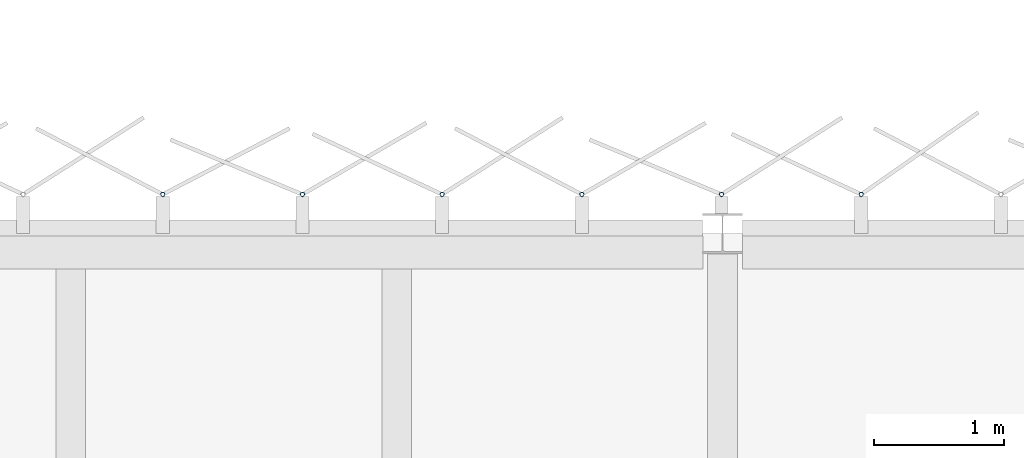
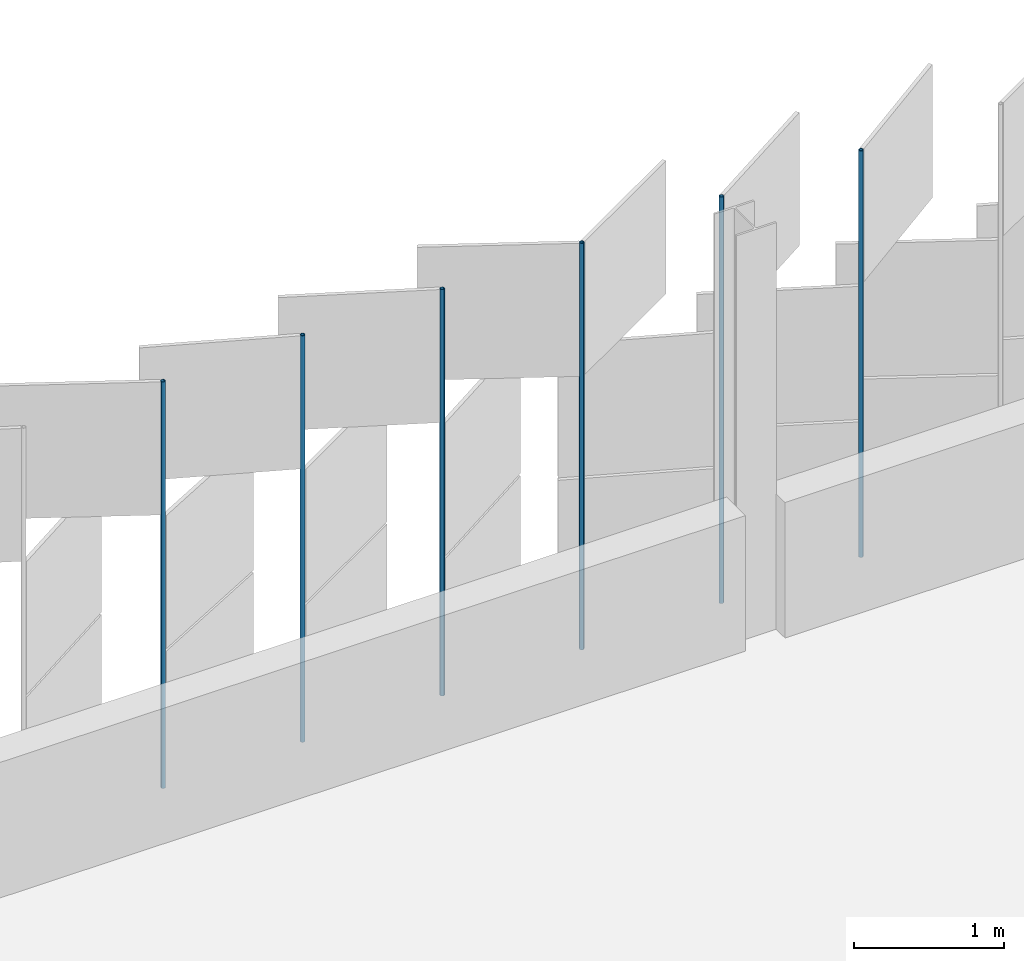
# One storey, part 143 of 198: 6 discrete accessories.
"""IFC4 building model written with IfcOpenShell, lengths in metres."""

from ifc_helpers import new_model, si_unit, direction, frame, origin, origin_2d, place, context, subcontext, project, spatial, hollow_circle, extrude, material, material_profile, profile_set, type_object, element, save


model = new_model("IFC4")

# Units and contexts
model_context = context("Model", 3, precision=1e-05, world=origin(), true_north=direction((0.0, 1.0)))
body_context = subcontext(model_context, "Body", "Model", "MODEL_VIEW")
ifc_project = project(units=[si_unit("LENGTHUNIT", "METRE"), si_unit("AREAUNIT", "SQUARE_METRE"), si_unit("VOLUMEUNIT", "CUBIC_METRE"), si_unit("PLANEANGLEUNIT", "RADIAN"), si_unit("MASSUNIT", "GRAM", prefix="KILO")], contexts=[model_context])

# Site, building, storey
site_placement = place(None, origin())
site = spatial("IfcSite", under=ifc_project, at=site_placement, CompositionType="ELEMENT")
building_placement = place(site_placement, origin())
building = spatial("IfcBuilding", under=site, at=building_placement, Name="Parallax Yard Mobility Hub", CompositionType="ELEMENT")
storey_placement = place(building_placement, frame((0.0, 0.0, 6.60009765625)))
storey = spatial("IfcBuildingStorey", under=building, at=storey_placement, Name="L02", CompositionType="ELEMENT", Elevation=6.60009765625)

# Discrete accessories
ifc_material = material(Name="Steel ASTM A500 Gr C, hot-dip galvanised", Category="steel")
ifc_material_profile = material_profile(ifc_material, hollow_circle(Radius=0.016845703125, WallThickness=0.003173828125, at=origin_2d()), Name="CHS 33.7x3.2")
ifc_profile_set = profile_set([ifc_material_profile], Name="Steel ASTM A500 Gr C, hot-dip galvanised")
discrete_accessory_type = type_object("IfcDiscreteAccessoryType", Name="Hinge post CHS 33.7x3.2", PredefinedType="BRACKET", material=ifc_profile_set)
for number, where, z_axis, x_axis, name in (
    (1, (91.063720703125, 142.800048828125, 0.0), (0.0, 0.0, 1.0), (1.0, 0.0, 0.0), "Hinge post bay 61.7 level L02"),
    (2, (89.9921875, 142.800048828125, 0.0), (0.0, 0.0, 1.0), (1.0, 0.0, 0.0), "Hinge post bay 62.1 level L02"),
    (3, (88.92041015625, 142.800048828125, 0.0), (0.0, 0.0, 1.0), (1.0, 0.0, 0.0), "Hinge post bay 62.2 level L02"),
    (4, (87.84912109375, 142.800048828125, 0.0), (0.0, 0.0, 1.0), (1.0, 0.0, 0.0), "Hinge post bay 62.3 level L02"),
    (5, (86.77734375, 142.800048828125, 0.0), (0.0, 0.0, 1.0), (1.0, 0.0, 0.0), "Hinge post bay 62.4 level L02"),
    (6, (85.705810546875, 142.800048828125, 0.0), (0.0, 0.0, 1.0), (1.0, 0.0, 0.0), "Hinge post bay 62.5 level L02"),
):
    element("IfcDiscreteAccessory", number, at=place(storey_placement, frame(where, z_axis=z_axis, x_axis=x_axis)), inside=storey, type_object=discrete_accessory_type, Name=name, PredefinedType="BRACKET", context=body_context, shape_type="SweptSolid", body=[
        extrude(hollow_circle(Radius=0.016845703125, WallThickness=0.003173828125, at=origin_2d()), origin(), (0.0, 0.0, 1.0), 3.2998046875),
    ])

save(model, "model.ifc")
